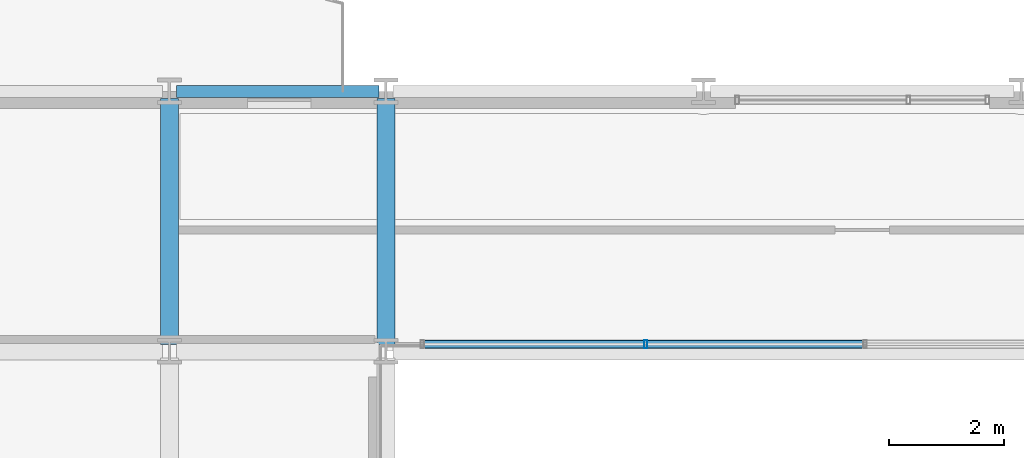
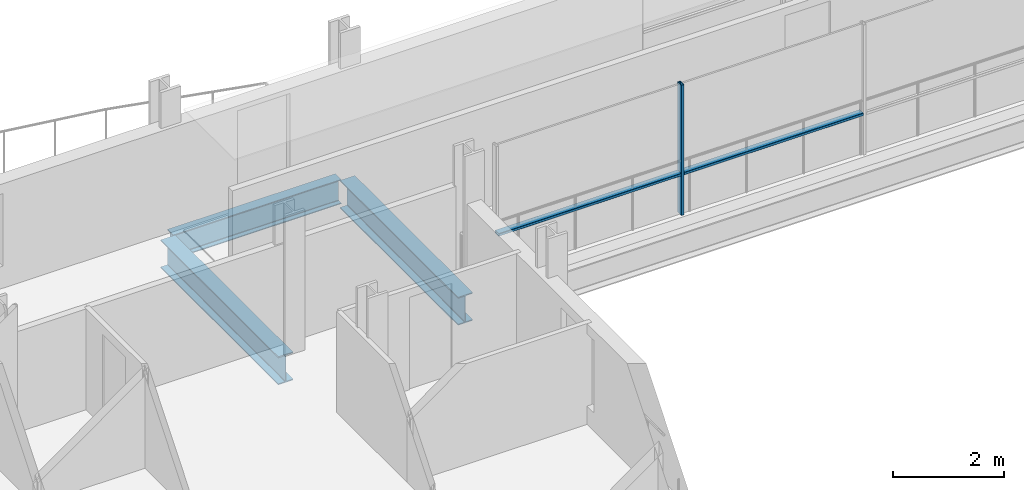
# One storey, part 9 of 39: 3 beams, 3 members, 1 element without a shape of its own.
"""IFC4 building model written with IfcOpenShell, lengths in metres."""

from ifc_helpers import new_model, si_unit, direction, frame, origin, origin_2d, place, context, subcontext, project, spatial, hollow_rectangle, i_section, extrude, material, layer, layer_set, material_profile, profile_set, type_object, element, aggregate, save


model = new_model("IFC4")

# Units and contexts
model_context = context("Model", 3, precision=1e-05, world=origin(), true_north=direction((0.0, 1.0)))
body_context = subcontext(model_context, "Body", "Model", "MODEL_VIEW")
ifc_project = project(units=[si_unit("LENGTHUNIT", "METRE"), si_unit("AREAUNIT", "SQUARE_METRE"), si_unit("VOLUMEUNIT", "CUBIC_METRE"), si_unit("PLANEANGLEUNIT", "RADIAN"), si_unit("MASSUNIT", "GRAM", prefix="KILO")], contexts=[model_context])

# Site, building, storey
site_placement = place(None, origin())
site = spatial("IfcSite", under=ifc_project, at=site_placement, CompositionType="ELEMENT")
building_placement = place(site_placement, origin())
building = spatial("IfcBuilding", under=site, at=building_placement, Name="Brevholm Reach", CompositionType="ELEMENT")
storey_placement = place(building_placement, frame((0.0, 0.0, 83.800048828125)))
storey = spatial("IfcBuildingStorey", under=building, at=storey_placement, Name="L24", CompositionType="ELEMENT", Elevation=83.800048828125)

# Beams
ifc_material_1 = material(Name="Structural Steel S355J2", Category="steel")
ifc_material_profile_1 = material_profile(ifc_material_1, i_section(OverallWidth=0.210693359375, OverallDepth=0.53955078125, WebThickness=0.01171875, FlangeThickness=0.018798828125, FilletRadius=0.0126953125, at=origin_2d()), Name="UKB 533x210x109")
ifc_profile_set_1 = profile_set([ifc_material_profile_1], Name="Structural Steel S355J2")
beam_type_1 = type_object("IfcBeamType", Name="BM-SP539", PredefinedType="SPANDREL", material=ifc_profile_set_1)
beam_placement = place(storey_placement, frame((18.1201171875, 31.0, -0.499755859375), z_axis=(1.0, 0.0, 0.0), x_axis=(0.0, 1.0, 0.0)))
element("IfcBeam", 1, at=beam_placement, inside=storey, type_object=beam_type_1, Name="L24 SP-01B Framing Beam", PredefinedType="SPANDREL", context=body_context, shape_type="SweptSolid", body=[
    extrude(i_section(OverallWidth=0.210693359375, OverallDepth=0.53955078125, WebThickness=0.01171875, FlangeThickness=0.018798828125, FilletRadius=0.0126953125, at=origin_2d()), origin(), (0.0, 0.0, 1.0), 3.509765625),
])
ifc_material_2 = material(Name="Structural Steel S355J2", Category="steel")
ifc_material_profile_2 = material_profile(ifc_material_2, i_section(OverallWidth=0.30712890625, OverallDepth=0.6201171875, WebThickness=0.01416015625, FlangeThickness=0.023681640625, FilletRadius=0.0166015625, at=origin_2d()), Name="UKB 610x305x179")
ifc_profile_set_2 = profile_set([ifc_material_profile_2], Name="Structural Steel S355J2")
beam_type_2 = type_object("IfcBeamType", Name="BM-UKB610H", PredefinedType="USERDEFINED", material=ifc_profile_set_2)
for number, where, z_axis, x_axis, name in (
    (2, (18.0, 26.6201171875, -0.5400390625), (0.0, 1.0, 0.0), (-1.0, 0.0, 0.0), "L24 G-06 Framing Beam"),
    (3, (21.75, 26.6201171875, -0.5400390625), (0.0, 1.0, 0.0), (-1.0, 0.0, 0.0), "L24 G-06 Framing Beam"),
):
    element("IfcBeam", number, at=place(storey_placement, frame(where, z_axis=z_axis, x_axis=x_axis)), inside=storey, type_object=beam_type_2, Name=name, ObjectType="GIRDER", PredefinedType="USERDEFINED", context=body_context, shape_type="SweptSolid", body=[
        extrude(i_section(OverallWidth=0.30712890625, OverallDepth=0.6201171875, WebThickness=0.01416015625, FlangeThickness=0.023681640625, FilletRadius=0.0166015625, at=origin_2d()), origin(), (0.0, 0.0, 1.0), 4.259765625),
    ])

# Curtain wall, members
ifc_material_3 = material(Name="Dark Anodised Aluminium 6063-T6 and Solar-Control Glass", Category="aluminium")
ifc_layer = layer(ifc_material_3, 0.139892578125)
ifc_layer_set = layer_set([ifc_layer], Name="Dark Anodised Aluminium 6063-T6 and Solar-Control Glass")
curtain_wall_type = type_object("IfcCurtainWallType", Name="CW-02", PredefinedType="NOTDEFINED", material=ifc_layer_set)
curtain_wall_placement = place(storey_placement, origin())
curtain_wall = element("IfcCurtainWall", 4, at=curtain_wall_placement, inside=storey, type_object=curtain_wall_type, Name="L24 Curtain Wall CW-02", PredefinedType="NOTDEFINED")
ifc_material_4 = material(Name="Dark Anodised Aluminium 6063-T6", Category="aluminium")
ifc_material_profile_3 = material_profile(ifc_material_4, hollow_rectangle(XDim=0.06005859375, YDim=0.139892578125, WallThickness=0.0048828125, InnerFilletRadius=0.0048828125, OuterFilletRadius=0.010009765625, at=origin_2d()), Name="RHS 140x60x5")
ifc_profile_set_3 = profile_set([ifc_material_profile_3], Name="Dark Anodised Aluminium 6063-T6")
member_type_1 = type_object("IfcMemberType", Name="CWM-140", PredefinedType="MULLION", material=ifc_profile_set_3)
member_1_placement = place(storey_placement, frame((26.25, 26.6201171875, 0.0), z_axis=(0.0, 0.0, 1.0), x_axis=(-1.0, 0.0, 0.0)))
member_1 = element("IfcMember", 5, at=member_1_placement, type_object=member_type_1, Name="CM-140 Mullion 4", PredefinedType="MULLION", context=body_context, shape_type="SweptSolid", body=[
    extrude(hollow_rectangle(XDim=0.06005859375, YDim=0.139892578125, WallThickness=0.0048828125, InnerFilletRadius=0.0048828125, OuterFilletRadius=0.010009765625, at=origin_2d()), origin(), (0.0, 0.0, 1.0), 2.869873046875),
])
ifc_material_5 = material(Name="Dark Anodised Aluminium 6063-T6", Category="aluminium")
ifc_material_profile_4 = material_profile(ifc_material_5, hollow_rectangle(XDim=0.06005859375, YDim=0.139892578125, WallThickness=0.0048828125, InnerFilletRadius=0.0048828125, OuterFilletRadius=0.010009765625, at=origin_2d()), Name="RHS 140x60x5")
ifc_profile_set_4 = profile_set([ifc_material_profile_4], Name="Dark Anodised Aluminium 6063-T6")
member_type_2 = type_object("IfcMemberType", Name="CWT-140", PredefinedType="NOTDEFINED", material=ifc_profile_set_4)
member_2_placement = place(storey_placement, frame((30.02001953125, 26.6201171875, 0.89990234375), z_axis=(-1.0, 0.0, 0.0), x_axis=(0.0, 0.0, 1.0)))
member_2 = element("IfcMember", 6, at=member_2_placement, type_object=member_type_2, Name="CT-140 Transom 3.1", ObjectType="TRANSOM", PredefinedType="USERDEFINED", context=body_context, shape_type="SweptSolid", body=[
    extrude(hollow_rectangle(XDim=0.06005859375, YDim=0.139892578125, WallThickness=0.0048828125, InnerFilletRadius=0.0048828125, OuterFilletRadius=0.010009765625, at=origin_2d()), origin(), (0.0, 0.0, 1.0), 3.739990234375),
])
member_3_placement = place(storey_placement, frame((26.219970703125, 26.6201171875, 0.89990234375), z_axis=(-1.0, 0.0, 0.0), x_axis=(0.0, 0.0, 1.0)))
member_3 = element("IfcMember", 7, at=member_3_placement, type_object=member_type_2, Name="CT-140 Transom 4.1", ObjectType="TRANSOM", PredefinedType="USERDEFINED", context=body_context, shape_type="SweptSolid", body=[
    extrude(hollow_rectangle(XDim=0.06005859375, YDim=0.139892578125, WallThickness=0.0048828125, InnerFilletRadius=0.0048828125, OuterFilletRadius=0.010009765625, at=origin_2d()), origin(), (0.0, 0.0, 1.0), 3.81005859375),
])
aggregate(curtain_wall, [member_1, member_2, member_3])

save(model, "model.ifc")
